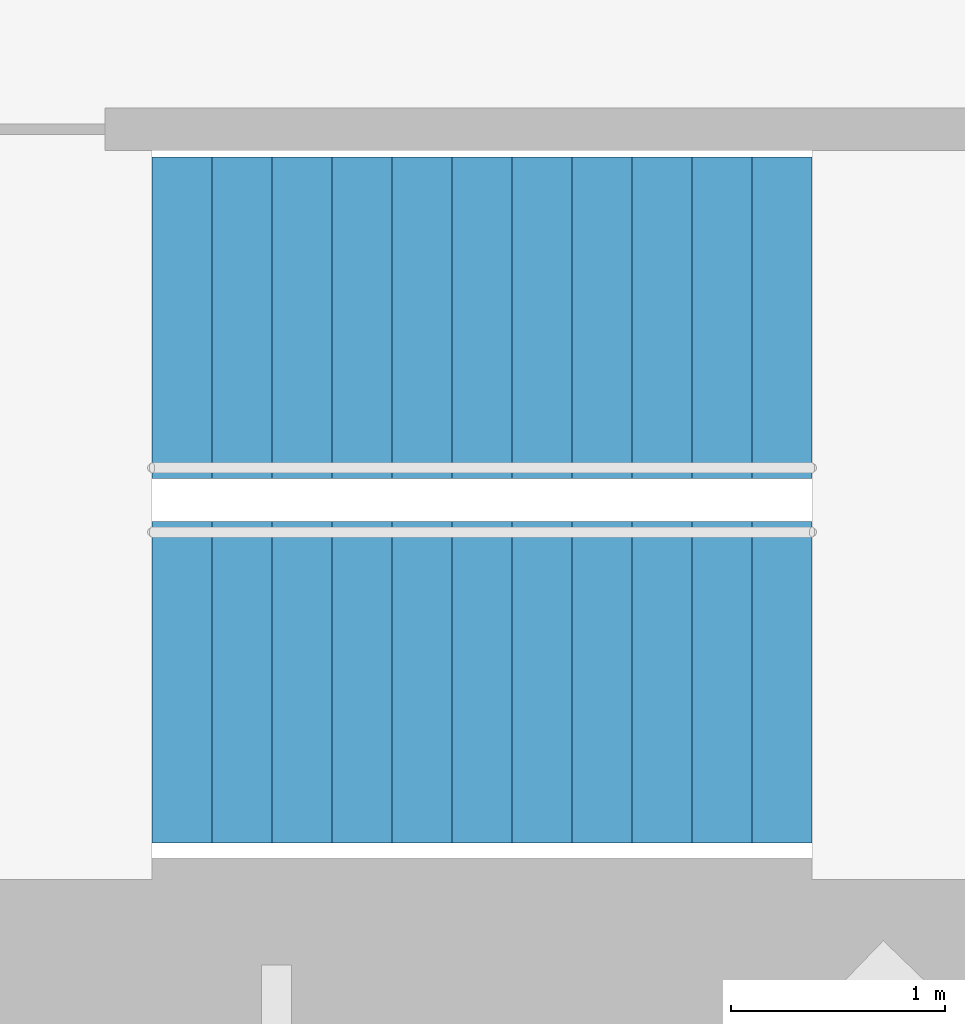
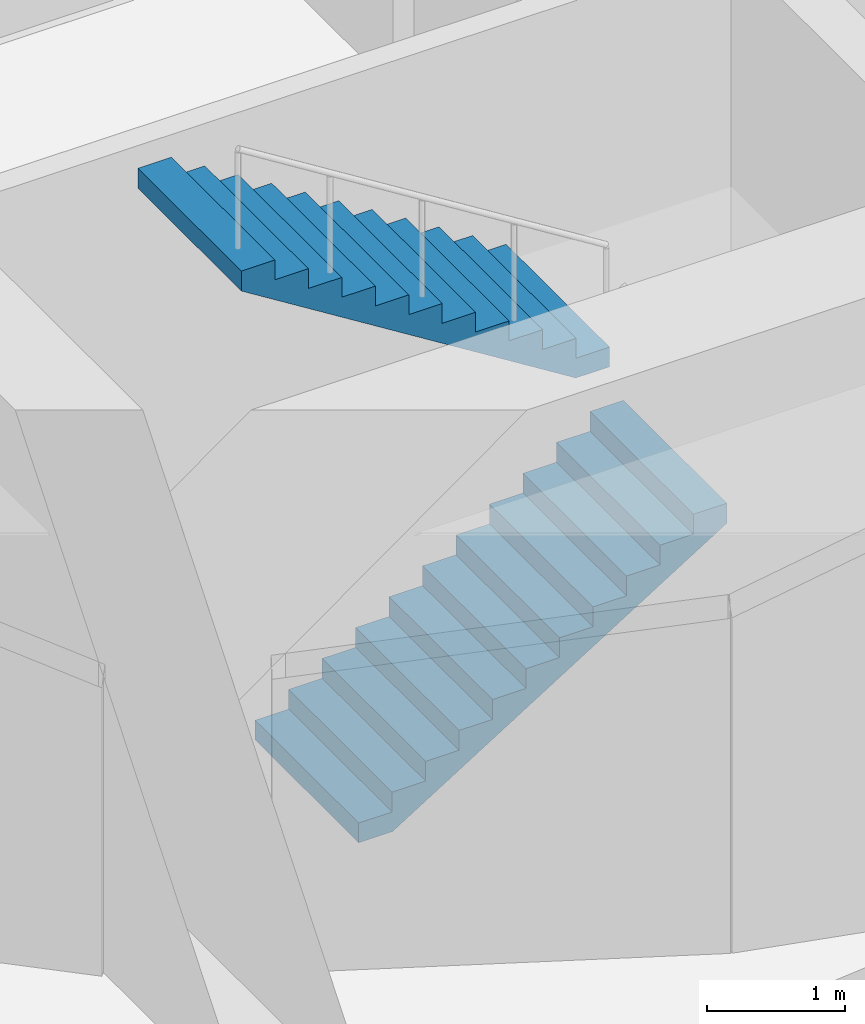
# One storey, part 15 of 17: 2 stair flights, 1 element without a shape of its own.
"""IFC4 building model written with IfcOpenShell, lengths in metres."""

from ifc_helpers import new_model, si_unit, direction, frame, origin, place, context, subcontext, project, spatial, triangles, material, type_object, element, aggregate, save


model = new_model("IFC4")

# Units and contexts
model_context = context("Model", 3, precision=1e-05, world=origin(), true_north=direction((0.0, 1.0)))
body_context = subcontext(model_context, "Body", "Model", "MODEL_VIEW")
ifc_project = project(units=[si_unit("LENGTHUNIT", "METRE"), si_unit("AREAUNIT", "SQUARE_METRE"), si_unit("VOLUMEUNIT", "CUBIC_METRE"), si_unit("PLANEANGLEUNIT", "RADIAN"), si_unit("MASSUNIT", "GRAM", prefix="KILO")], contexts=[model_context])

# Site, building, storey
site_placement = place(None, origin())
site = spatial("IfcSite", under=ifc_project, at=site_placement, CompositionType="ELEMENT")
building_placement = place(site_placement, origin())
building = spatial("IfcBuilding", under=site, at=building_placement, Name="Lantaw Convention Tower", CompositionType="ELEMENT")
storey_placement = place(building_placement, frame((0.0, 0.0, 211.60009765625)))
storey = spatial("IfcBuildingStorey", under=building, at=storey_placement, Name="L49", CompositionType="ELEMENT", Elevation=211.60009765625)

# Stair, stair flights
ifc_material = material(Name="Concrete C35/45", Category="concrete")
stair_type = type_object("IfcStairType", Name="Exit stair 1500 riser 175 in 2 flights", PredefinedType="HALF_TURN_STAIR", material=ifc_material)
stair_placement = place(storey_placement, origin())
stair = element("IfcStair", 1, at=stair_placement, inside=storey, type_object=stair_type, Name="Exit stair S1 L49", PredefinedType="HALF_TURN_STAIR")
stair_flight_type = type_object("IfcStairFlightType", Name="Stair flight 1500 riser 175", PredefinedType="STRAIGHT", material=ifc_material)
stair_flight_1_placement = place(storey_placement, frame((-10.580078125, -5.97998046875, 0.0), z_axis=(0.0, 0.0, 1.0), x_axis=(1.0, 0.0, 0.0)))
stair_flight_1 = element("IfcStairFlight", 2, at=stair_flight_1_placement, type_object=stair_flight_type, Name="S1 flight 1", NumberOfRisers=12, NumberOfTreads=11, PredefinedType="STRAIGHT", RiserHeight=0.175, TreadLength=0.28, context=body_context, shape_type="Tessellation", body=[
    triangles([(0.0, 0.75, 0.0), (0.0, 0.75, 0.175), (0.28, 0.75, 0.0), (0.28, 0.75, 0.175), (0.28, 0.75, 0.35), (0.28283517651771284, 0.75, 0.0), (0.28283517651771284, 0.75, 0.35), (0.56, 0.75, 0.17322801467642948), (0.56, 0.75, 0.35), (0.56, 0.75, 0.5249999999999999), (0.8400000000000001, 0.75, 0.34822801467642944), (0.8400000000000001, 0.75, 0.5249999999999999), (0.8400000000000001, 0.75, 0.7), (1.12, 0.75, 0.5232280146764294), (1.12, 0.75, 0.7), (1.12, 0.75, 0.875), (1.4000000000000001, 0.75, 0.6982280146764295), (1.4000000000000001, 0.75, 0.875), (1.4000000000000001, 0.75, 1.0499999999999998), (1.6800000000000002, 0.75, 0.8732280146764294), (1.6800000000000002, 0.75, 1.0499999999999998), (1.6800000000000002, 0.75, 1.2249999999999999), (1.9600000000000002, 0.75, 1.0482280146764293), (1.9600000000000002, 0.75, 1.2249999999999999), (1.9600000000000002, 0.75, 1.4), (2.24, 0.75, 1.2232280146764294), (2.24, 0.75, 1.4), (2.24, 0.75, 1.575), (2.5200000000000005, 0.75, 1.3982280146764294), (2.5200000000000005, 0.75, 1.575), (2.5200000000000005, 0.75, 1.75), (2.8000000000000003, 0.75, 1.5732280146764293), (2.8000000000000003, 0.75, 1.75), (2.8000000000000003, 0.75, 1.9249999999999998), (3.08, 0.75, 1.7482280146764293), (3.08, 0.75, 1.9249999999999998), (0.0, -0.75, 0.0), (0.0, -0.75, 0.175), (0.28, -0.75, 0.0), (0.28, -0.75, 0.175), (0.28, -0.75, 0.35), (0.28283517651771284, -0.75, 0.0), (0.28283517651771284, -0.75, 0.35), (0.56, -0.75, 0.17322801467642948), (0.56, -0.75, 0.35), (0.56, -0.75, 0.5249999999999999), (0.8400000000000001, -0.75, 0.34822801467642944), (0.8400000000000001, -0.75, 0.5249999999999999), (0.8400000000000001, -0.75, 0.7), (1.12, -0.75, 0.5232280146764294), (1.12, -0.75, 0.7), (1.12, -0.75, 0.875), (1.4000000000000001, -0.75, 0.6982280146764295), (1.4000000000000001, -0.75, 0.875), (1.4000000000000001, -0.75, 1.0499999999999998), (1.6800000000000002, -0.75, 0.8732280146764294), (1.6800000000000002, -0.75, 1.0499999999999998), (1.6800000000000002, -0.75, 1.2249999999999999), (1.9600000000000002, -0.75, 1.0482280146764293), (1.9600000000000002, -0.75, 1.2249999999999999), (1.9600000000000002, -0.75, 1.4), (2.24, -0.75, 1.2232280146764294), (2.24, -0.75, 1.4), (2.24, -0.75, 1.575), (2.5200000000000005, -0.75, 1.3982280146764294), (2.5200000000000005, -0.75, 1.575), (2.5200000000000005, -0.75, 1.75), (2.8000000000000003, -0.75, 1.5732280146764293), (2.8000000000000003, -0.75, 1.75), (2.8000000000000003, -0.75, 1.9249999999999998), (3.08, -0.75, 1.7482280146764293), (3.08, -0.75, 1.9249999999999998), (0.0, 0.15000000000000002, 0.175), (0.0, 0.15000000000000002, 0.0), (0.0, 0.0, 0.175), (0.0, 0.0, 0.0), (0.0, -0.15000000000000002, 0.175), (0.0, -0.15000000000000002, 0.0), (0.28, 0.15000000000000002, 0.35), (0.28, 0.15000000000000002, 0.175), (0.28, 0.0, 0.35), (0.28, 0.0, 0.175), (0.28, -0.15000000000000002, 0.35), (0.28, -0.15000000000000002, 0.175), (0.56, 0.15000000000000002, 0.5249999999999999), (0.56, 0.15000000000000002, 0.35), (0.56, 0.0, 0.5249999999999999), (0.56, 0.0, 0.35), (0.56, -0.15000000000000002, 0.5249999999999999), (0.56, -0.15000000000000002, 0.35), (0.8400000000000001, 0.15000000000000002, 0.7), (0.8400000000000001, 0.15000000000000002, 0.5249999999999999), (0.8400000000000001, 0.0, 0.7), (0.8400000000000001, 0.0, 0.5249999999999999), (0.8400000000000001, -0.15000000000000002, 0.7), (0.8400000000000001, -0.15000000000000002, 0.5249999999999999), (1.12, 0.15000000000000002, 0.875), (1.12, 0.15000000000000002, 0.7), (1.12, 0.0, 0.875), (1.12, 0.0, 0.7), (1.12, -0.15000000000000002, 0.875), (1.12, -0.15000000000000002, 0.7), (1.4000000000000001, 0.15000000000000002, 1.0499999999999998), (1.4000000000000001, 0.15000000000000002, 0.875), (1.4000000000000001, 0.0, 1.0499999999999998), (1.4000000000000001, 0.0, 0.875), (1.4000000000000001, -0.15000000000000002, 1.0499999999999998), (1.4000000000000001, -0.15000000000000002, 0.875), (1.6800000000000002, 0.15000000000000002, 1.2249999999999999), (1.6800000000000002, 0.15000000000000002, 1.0499999999999998), (1.6800000000000002, 0.0, 1.2249999999999999), (1.6800000000000002, 0.0, 1.0499999999999998), (1.6800000000000002, -0.15000000000000002, 1.2249999999999999), (1.6800000000000002, -0.15000000000000002, 1.0499999999999998), (1.9600000000000002, 0.15000000000000002, 1.4), (1.9600000000000002, 0.15000000000000002, 1.2249999999999999), (1.9600000000000002, 0.0, 1.4), (1.9600000000000002, 0.0, 1.2249999999999999), (1.9600000000000002, -0.15000000000000002, 1.4), (1.9600000000000002, -0.15000000000000002, 1.2249999999999999), (2.24, 0.15000000000000002, 1.575), (2.24, 0.15000000000000002, 1.4), (2.24, 0.0, 1.575), (2.24, 0.0, 1.4), (2.24, -0.15000000000000002, 1.575), (2.24, -0.15000000000000002, 1.4), (2.5200000000000005, 0.15000000000000002, 1.75), (2.5200000000000005, 0.15000000000000002, 1.575), (2.5200000000000005, 0.0, 1.75), (2.5200000000000005, 0.0, 1.575), (2.5200000000000005, -0.15000000000000002, 1.75), (2.5200000000000005, -0.15000000000000002, 1.575), (2.8000000000000003, 0.15000000000000002, 1.9249999999999998), (2.8000000000000003, 0.15000000000000002, 1.75), (2.8000000000000003, 0.0, 1.9249999999999998), (2.8000000000000003, 0.0, 1.75), (2.8000000000000003, -0.15000000000000002, 1.9249999999999998), (2.8000000000000003, -0.15000000000000002, 1.75), (0.28283517651771284, 0.15000000000000002, 0.35), (0.28283517651771284, 0.0, 0.35), (0.28283517651771284, -0.15000000000000002, 0.35), (3.08, 0.15000000000000002, 1.9249999999999998), (3.08, 0.0, 1.9249999999999998), (3.08, -0.15000000000000002, 1.9249999999999998), (3.08, 0.15000000000000002, 1.7482280146764293), (3.08, 0.0, 1.7482280146764293), (3.08, -0.15000000000000002, 1.7482280146764293), (2.8000000000000003, 0.15000000000000002, 1.5732280146764293), (2.8000000000000003, 0.0, 1.5732280146764293), (2.8000000000000003, -0.15000000000000002, 1.5732280146764293), (2.5200000000000005, 0.15000000000000002, 1.3982280146764294), (2.5200000000000005, 0.0, 1.3982280146764294), (2.5200000000000005, -0.15000000000000002, 1.3982280146764294), (2.24, 0.15000000000000002, 1.2232280146764294), (2.24, 0.0, 1.2232280146764294), (2.24, -0.15000000000000002, 1.2232280146764294), (1.9600000000000002, 0.15000000000000002, 1.0482280146764293), (1.9600000000000002, 0.0, 1.0482280146764293), (1.9600000000000002, -0.15000000000000002, 1.0482280146764293), (1.6800000000000002, 0.15000000000000002, 0.8732280146764294), (1.6800000000000002, 0.0, 0.8732280146764294), (1.6800000000000002, -0.15000000000000002, 0.8732280146764294), (1.4000000000000001, 0.15000000000000002, 0.6982280146764295), (1.4000000000000001, 0.0, 0.6982280146764295), (1.4000000000000001, -0.15000000000000002, 0.6982280146764295), (1.12, 0.15000000000000002, 0.5232280146764294), (1.12, 0.0, 0.5232280146764294), (1.12, -0.15000000000000002, 0.5232280146764294), (0.8400000000000001, 0.15000000000000002, 0.34822801467642944), (0.8400000000000001, 0.0, 0.34822801467642944), (0.8400000000000001, -0.15000000000000002, 0.34822801467642944), (0.56, 0.15000000000000002, 0.17322801467642948), (0.56, 0.0, 0.17322801467642948), (0.56, -0.15000000000000002, 0.17322801467642948), (0.28283517651771284, 0.15000000000000002, 0.0), (0.28283517651771284, 0.0, 0.0), (0.28283517651771284, -0.15000000000000002, 0.0), (0.28, 0.15000000000000002, 0.0), (0.28, 0.0, 0.0), (0.28, -0.15000000000000002, 0.0)], [[1, 4, 3], [1, 2, 4], [3, 4, 6], [4, 7, 6], [4, 5, 7], [6, 9, 8], [6, 7, 9], [8, 9, 11], [9, 12, 11], [9, 10, 12], [11, 12, 14], [12, 15, 14], [12, 13, 15], [14, 15, 17], [15, 18, 17], [15, 16, 18], [17, 18, 20], [18, 21, 20], [18, 19, 21], [20, 21, 23], [21, 24, 23], [21, 22, 24], [23, 24, 26], [24, 27, 26], [24, 25, 27], [26, 27, 29], [27, 30, 29], [27, 28, 30], [29, 30, 32], [30, 33, 32], [30, 31, 33], [32, 33, 35], [33, 36, 35], [33, 34, 36], [37, 39, 40], [37, 40, 38], [39, 42, 40], [40, 42, 43], [40, 43, 41], [42, 44, 45], [42, 45, 43], [44, 47, 45], [45, 47, 48], [45, 48, 46], [47, 50, 48], [48, 50, 51], [48, 51, 49], [50, 53, 51], [51, 53, 54], [51, 54, 52], [53, 56, 54], [54, 56, 57], [54, 57, 55], [56, 59, 57], [57, 59, 60], [57, 60, 58], [59, 62, 60], [60, 62, 63], [60, 63, 61], [62, 65, 63], [63, 65, 66], [63, 66, 64], [65, 68, 66], [66, 68, 69], [66, 69, 67], [68, 71, 69], [69, 71, 72], [69, 72, 70], [1, 73, 2], [1, 74, 73], [74, 75, 73], [74, 76, 75], [76, 77, 75], [76, 78, 77], [78, 38, 77], [78, 37, 38], [4, 79, 5], [4, 80, 79], [80, 81, 79], [80, 82, 81], [82, 83, 81], [82, 84, 83], [84, 41, 83], [84, 40, 41], [9, 85, 10], [9, 86, 85], [86, 87, 85], [86, 88, 87], [88, 89, 87], [88, 90, 89], [90, 46, 89], [90, 45, 46], [12, 91, 13], [12, 92, 91], [92, 93, 91], [92, 94, 93], [94, 95, 93], [94, 96, 95], [96, 49, 95], [96, 48, 49], [15, 97, 16], [15, 98, 97], [98, 99, 97], [98, 100, 99], [100, 101, 99], [100, 102, 101], [102, 52, 101], [102, 51, 52], [18, 103, 19], [18, 104, 103], [104, 105, 103], [104, 106, 105], [106, 107, 105], [106, 108, 107], [108, 55, 107], [108, 54, 55], [21, 109, 22], [21, 110, 109], [110, 111, 109], [110, 112, 111], [112, 113, 111], [112, 114, 113], [114, 58, 113], [114, 57, 58], [24, 115, 25], [24, 116, 115], [116, 117, 115], [116, 118, 117], [118, 119, 117], [118, 120, 119], [120, 61, 119], [120, 60, 61], [27, 121, 28], [27, 122, 121], [122, 123, 121], [122, 124, 123], [124, 125, 123], [124, 126, 125], [126, 64, 125], [126, 63, 64], [30, 127, 31], [30, 128, 127], [128, 129, 127], [128, 130, 129], [130, 131, 129], [130, 132, 131], [132, 67, 131], [132, 66, 67], [33, 133, 34], [33, 134, 133], [134, 135, 133], [134, 136, 135], [136, 137, 135], [136, 138, 137], [138, 70, 137], [138, 69, 70], [2, 80, 4], [2, 73, 80], [73, 82, 80], [73, 75, 82], [75, 84, 82], [75, 77, 84], [77, 40, 84], [77, 38, 40], [5, 139, 7], [5, 79, 139], [79, 140, 139], [79, 81, 140], [81, 141, 140], [81, 83, 141], [83, 43, 141], [83, 41, 43], [7, 86, 9], [7, 139, 86], [139, 88, 86], [139, 140, 88], [140, 90, 88], [140, 141, 90], [141, 45, 90], [141, 43, 45], [10, 92, 12], [10, 85, 92], [85, 94, 92], [85, 87, 94], [87, 96, 94], [87, 89, 96], [89, 48, 96], [89, 46, 48], [13, 98, 15], [13, 91, 98], [91, 100, 98], [91, 93, 100], [93, 102, 100], [93, 95, 102], [95, 51, 102], [95, 49, 51], [16, 104, 18], [16, 97, 104], [97, 106, 104], [97, 99, 106], [99, 108, 106], [99, 101, 108], [101, 54, 108], [101, 52, 54], [19, 110, 21], [19, 103, 110], [103, 112, 110], [103, 105, 112], [105, 114, 112], [105, 107, 114], [107, 57, 114], [107, 55, 57], [22, 116, 24], [22, 109, 116], [109, 118, 116], [109, 111, 118], [111, 120, 118], [111, 113, 120], [113, 60, 120], [113, 58, 60], [25, 122, 27], [25, 115, 122], [115, 124, 122], [115, 117, 124], [117, 126, 124], [117, 119, 126], [119, 63, 126], [119, 61, 63], [28, 128, 30], [28, 121, 128], [121, 130, 128], [121, 123, 130], [123, 132, 130], [123, 125, 132], [125, 66, 132], [125, 64, 66], [31, 134, 33], [31, 127, 134], [127, 136, 134], [127, 129, 136], [129, 138, 136], [129, 131, 138], [131, 69, 138], [131, 67, 69], [34, 142, 36], [34, 133, 142], [133, 143, 142], [133, 135, 143], [135, 144, 143], [135, 137, 144], [137, 72, 144], [137, 70, 72], [36, 145, 35], [36, 142, 145], [142, 146, 145], [142, 143, 146], [143, 147, 146], [143, 144, 147], [144, 71, 147], [144, 72, 71], [35, 148, 32], [35, 145, 148], [145, 149, 148], [145, 146, 149], [146, 150, 149], [146, 147, 150], [147, 68, 150], [147, 71, 68], [32, 151, 29], [32, 148, 151], [148, 152, 151], [148, 149, 152], [149, 153, 152], [149, 150, 153], [150, 65, 153], [150, 68, 65], [29, 154, 26], [29, 151, 154], [151, 155, 154], [151, 152, 155], [152, 156, 155], [152, 153, 156], [153, 62, 156], [153, 65, 62], [26, 157, 23], [26, 154, 157], [154, 158, 157], [154, 155, 158], [155, 159, 158], [155, 156, 159], [156, 59, 159], [156, 62, 59], [23, 160, 20], [23, 157, 160], [157, 161, 160], [157, 158, 161], [158, 162, 161], [158, 159, 162], [159, 56, 162], [159, 59, 56], [20, 163, 17], [20, 160, 163], [160, 164, 163], [160, 161, 164], [161, 165, 164], [161, 162, 165], [162, 53, 165], [162, 56, 53], [17, 166, 14], [17, 163, 166], [163, 167, 166], [163, 164, 167], [164, 168, 167], [164, 165, 168], [165, 50, 168], [165, 53, 50], [14, 169, 11], [14, 166, 169], [166, 170, 169], [166, 167, 170], [167, 171, 170], [167, 168, 171], [168, 47, 171], [168, 50, 47], [11, 172, 8], [11, 169, 172], [169, 173, 172], [169, 170, 173], [170, 174, 173], [170, 171, 174], [171, 44, 174], [171, 47, 44], [8, 175, 6], [8, 172, 175], [172, 176, 175], [172, 173, 176], [173, 177, 176], [173, 174, 177], [174, 42, 177], [174, 44, 42], [6, 178, 3], [6, 175, 178], [175, 179, 178], [175, 176, 179], [176, 180, 179], [176, 177, 180], [177, 39, 180], [177, 42, 39], [3, 74, 1], [3, 178, 74], [178, 76, 74], [178, 179, 76], [179, 78, 76], [179, 180, 78], [180, 37, 78], [180, 39, 37]], closed=True),
])
stair_flight_2_placement = place(storey_placement, frame((-7.5, -4.280029296875, 2.099853515625), z_axis=(0.0, 0.0, 1.0), x_axis=(-1.0, 0.0, 0.0)))
stair_flight_2 = element("IfcStairFlight", 3, at=stair_flight_2_placement, type_object=stair_flight_type, Name="S1 flight 2", NumberOfRisers=12, NumberOfTreads=11, PredefinedType="STRAIGHT", RiserHeight=0.175, TreadLength=0.28, context=body_context, shape_type="Tessellation", body=[
    triangles([(0.0, 0.75, 0.0), (0.0, 0.75, 0.175), (0.28, 0.75, 0.0), (0.28, 0.75, 0.175), (0.28, 0.75, 0.35), (0.28283517651771284, 0.75, 0.0), (0.28283517651771284, 0.75, 0.35), (0.56, 0.75, 0.17322801467642948), (0.56, 0.75, 0.35), (0.56, 0.75, 0.5249999999999999), (0.8400000000000001, 0.75, 0.34822801467642944), (0.8400000000000001, 0.75, 0.5249999999999999), (0.8400000000000001, 0.75, 0.7), (1.12, 0.75, 0.5232280146764294), (1.12, 0.75, 0.7), (1.12, 0.75, 0.875), (1.4000000000000001, 0.75, 0.6982280146764295), (1.4000000000000001, 0.75, 0.875), (1.4000000000000001, 0.75, 1.0499999999999998), (1.6800000000000002, 0.75, 0.8732280146764294), (1.6800000000000002, 0.75, 1.0499999999999998), (1.6800000000000002, 0.75, 1.2249999999999999), (1.9600000000000002, 0.75, 1.0482280146764293), (1.9600000000000002, 0.75, 1.2249999999999999), (1.9600000000000002, 0.75, 1.4), (2.24, 0.75, 1.2232280146764294), (2.24, 0.75, 1.4), (2.24, 0.75, 1.575), (2.5200000000000005, 0.75, 1.3982280146764294), (2.5200000000000005, 0.75, 1.575), (2.5200000000000005, 0.75, 1.75), (2.8000000000000003, 0.75, 1.5732280146764293), (2.8000000000000003, 0.75, 1.75), (2.8000000000000003, 0.75, 1.9249999999999998), (3.08, 0.75, 1.7482280146764293), (3.08, 0.75, 1.9249999999999998), (0.0, -0.75, 0.0), (0.0, -0.75, 0.175), (0.28, -0.75, 0.0), (0.28, -0.75, 0.175), (0.28, -0.75, 0.35), (0.28283517651771284, -0.75, 0.0), (0.28283517651771284, -0.75, 0.35), (0.56, -0.75, 0.17322801467642948), (0.56, -0.75, 0.35), (0.56, -0.75, 0.5249999999999999), (0.8400000000000001, -0.75, 0.34822801467642944), (0.8400000000000001, -0.75, 0.5249999999999999), (0.8400000000000001, -0.75, 0.7), (1.12, -0.75, 0.5232280146764294), (1.12, -0.75, 0.7), (1.12, -0.75, 0.875), (1.4000000000000001, -0.75, 0.6982280146764295), (1.4000000000000001, -0.75, 0.875), (1.4000000000000001, -0.75, 1.0499999999999998), (1.6800000000000002, -0.75, 0.8732280146764294), (1.6800000000000002, -0.75, 1.0499999999999998), (1.6800000000000002, -0.75, 1.2249999999999999), (1.9600000000000002, -0.75, 1.0482280146764293), (1.9600000000000002, -0.75, 1.2249999999999999), (1.9600000000000002, -0.75, 1.4), (2.24, -0.75, 1.2232280146764294), (2.24, -0.75, 1.4), (2.24, -0.75, 1.575), (2.5200000000000005, -0.75, 1.3982280146764294), (2.5200000000000005, -0.75, 1.575), (2.5200000000000005, -0.75, 1.75), (2.8000000000000003, -0.75, 1.5732280146764293), (2.8000000000000003, -0.75, 1.75), (2.8000000000000003, -0.75, 1.9249999999999998), (3.08, -0.75, 1.7482280146764293), (3.08, -0.75, 1.9249999999999998), (0.0, 0.15000000000000002, 0.175), (0.0, 0.15000000000000002, 0.0), (0.0, 0.0, 0.175), (0.0, 0.0, 0.0), (0.0, -0.15000000000000002, 0.175), (0.0, -0.15000000000000002, 0.0), (0.28, 0.15000000000000002, 0.35), (0.28, 0.15000000000000002, 0.175), (0.28, 0.0, 0.35), (0.28, 0.0, 0.175), (0.28, -0.15000000000000002, 0.35), (0.28, -0.15000000000000002, 0.175), (0.56, 0.15000000000000002, 0.5249999999999999), (0.56, 0.15000000000000002, 0.35), (0.56, 0.0, 0.5249999999999999), (0.56, 0.0, 0.35), (0.56, -0.15000000000000002, 0.5249999999999999), (0.56, -0.15000000000000002, 0.35), (0.8400000000000001, 0.15000000000000002, 0.7), (0.8400000000000001, 0.15000000000000002, 0.5249999999999999), (0.8400000000000001, 0.0, 0.7), (0.8400000000000001, 0.0, 0.5249999999999999), (0.8400000000000001, -0.15000000000000002, 0.7), (0.8400000000000001, -0.15000000000000002, 0.5249999999999999), (1.12, 0.15000000000000002, 0.875), (1.12, 0.15000000000000002, 0.7), (1.12, 0.0, 0.875), (1.12, 0.0, 0.7), (1.12, -0.15000000000000002, 0.875), (1.12, -0.15000000000000002, 0.7), (1.4000000000000001, 0.15000000000000002, 1.0499999999999998), (1.4000000000000001, 0.15000000000000002, 0.875), (1.4000000000000001, 0.0, 1.0499999999999998), (1.4000000000000001, 0.0, 0.875), (1.4000000000000001, -0.15000000000000002, 1.0499999999999998), (1.4000000000000001, -0.15000000000000002, 0.875), (1.6800000000000002, 0.15000000000000002, 1.2249999999999999), (1.6800000000000002, 0.15000000000000002, 1.0499999999999998), (1.6800000000000002, 0.0, 1.2249999999999999), (1.6800000000000002, 0.0, 1.0499999999999998), (1.6800000000000002, -0.15000000000000002, 1.2249999999999999), (1.6800000000000002, -0.15000000000000002, 1.0499999999999998), (1.9600000000000002, 0.15000000000000002, 1.4), (1.9600000000000002, 0.15000000000000002, 1.2249999999999999), (1.9600000000000002, 0.0, 1.4), (1.9600000000000002, 0.0, 1.2249999999999999), (1.9600000000000002, -0.15000000000000002, 1.4), (1.9600000000000002, -0.15000000000000002, 1.2249999999999999), (2.24, 0.15000000000000002, 1.575), (2.24, 0.15000000000000002, 1.4), (2.24, 0.0, 1.575), (2.24, 0.0, 1.4), (2.24, -0.15000000000000002, 1.575), (2.24, -0.15000000000000002, 1.4), (2.5200000000000005, 0.15000000000000002, 1.75), (2.5200000000000005, 0.15000000000000002, 1.575), (2.5200000000000005, 0.0, 1.75), (2.5200000000000005, 0.0, 1.575), (2.5200000000000005, -0.15000000000000002, 1.75), (2.5200000000000005, -0.15000000000000002, 1.575), (2.8000000000000003, 0.15000000000000002, 1.9249999999999998), (2.8000000000000003, 0.15000000000000002, 1.75), (2.8000000000000003, 0.0, 1.9249999999999998), (2.8000000000000003, 0.0, 1.75), (2.8000000000000003, -0.15000000000000002, 1.9249999999999998), (2.8000000000000003, -0.15000000000000002, 1.75), (0.28283517651771284, 0.15000000000000002, 0.35), (0.28283517651771284, 0.0, 0.35), (0.28283517651771284, -0.15000000000000002, 0.35), (3.08, 0.15000000000000002, 1.9249999999999998), (3.08, 0.0, 1.9249999999999998), (3.08, -0.15000000000000002, 1.9249999999999998), (3.08, 0.15000000000000002, 1.7482280146764293), (3.08, 0.0, 1.7482280146764293), (3.08, -0.15000000000000002, 1.7482280146764293), (2.8000000000000003, 0.15000000000000002, 1.5732280146764293), (2.8000000000000003, 0.0, 1.5732280146764293), (2.8000000000000003, -0.15000000000000002, 1.5732280146764293), (2.5200000000000005, 0.15000000000000002, 1.3982280146764294), (2.5200000000000005, 0.0, 1.3982280146764294), (2.5200000000000005, -0.15000000000000002, 1.3982280146764294), (2.24, 0.15000000000000002, 1.2232280146764294), (2.24, 0.0, 1.2232280146764294), (2.24, -0.15000000000000002, 1.2232280146764294), (1.9600000000000002, 0.15000000000000002, 1.0482280146764293), (1.9600000000000002, 0.0, 1.0482280146764293), (1.9600000000000002, -0.15000000000000002, 1.0482280146764293), (1.6800000000000002, 0.15000000000000002, 0.8732280146764294), (1.6800000000000002, 0.0, 0.8732280146764294), (1.6800000000000002, -0.15000000000000002, 0.8732280146764294), (1.4000000000000001, 0.15000000000000002, 0.6982280146764295), (1.4000000000000001, 0.0, 0.6982280146764295), (1.4000000000000001, -0.15000000000000002, 0.6982280146764295), (1.12, 0.15000000000000002, 0.5232280146764294), (1.12, 0.0, 0.5232280146764294), (1.12, -0.15000000000000002, 0.5232280146764294), (0.8400000000000001, 0.15000000000000002, 0.34822801467642944), (0.8400000000000001, 0.0, 0.34822801467642944), (0.8400000000000001, -0.15000000000000002, 0.34822801467642944), (0.56, 0.15000000000000002, 0.17322801467642948), (0.56, 0.0, 0.17322801467642948), (0.56, -0.15000000000000002, 0.17322801467642948), (0.28283517651771284, 0.15000000000000002, 0.0), (0.28283517651771284, 0.0, 0.0), (0.28283517651771284, -0.15000000000000002, 0.0), (0.28, 0.15000000000000002, 0.0), (0.28, 0.0, 0.0), (0.28, -0.15000000000000002, 0.0)], [[1, 4, 3], [1, 2, 4], [3, 4, 6], [4, 7, 6], [4, 5, 7], [6, 9, 8], [6, 7, 9], [8, 9, 11], [9, 12, 11], [9, 10, 12], [11, 12, 14], [12, 15, 14], [12, 13, 15], [14, 15, 17], [15, 18, 17], [15, 16, 18], [17, 18, 20], [18, 21, 20], [18, 19, 21], [20, 21, 23], [21, 24, 23], [21, 22, 24], [23, 24, 26], [24, 27, 26], [24, 25, 27], [26, 27, 29], [27, 30, 29], [27, 28, 30], [29, 30, 32], [30, 33, 32], [30, 31, 33], [32, 33, 35], [33, 36, 35], [33, 34, 36], [37, 39, 40], [37, 40, 38], [39, 42, 40], [40, 42, 43], [40, 43, 41], [42, 44, 45], [42, 45, 43], [44, 47, 45], [45, 47, 48], [45, 48, 46], [47, 50, 48], [48, 50, 51], [48, 51, 49], [50, 53, 51], [51, 53, 54], [51, 54, 52], [53, 56, 54], [54, 56, 57], [54, 57, 55], [56, 59, 57], [57, 59, 60], [57, 60, 58], [59, 62, 60], [60, 62, 63], [60, 63, 61], [62, 65, 63], [63, 65, 66], [63, 66, 64], [65, 68, 66], [66, 68, 69], [66, 69, 67], [68, 71, 69], [69, 71, 72], [69, 72, 70], [1, 73, 2], [1, 74, 73], [74, 75, 73], [74, 76, 75], [76, 77, 75], [76, 78, 77], [78, 38, 77], [78, 37, 38], [4, 79, 5], [4, 80, 79], [80, 81, 79], [80, 82, 81], [82, 83, 81], [82, 84, 83], [84, 41, 83], [84, 40, 41], [9, 85, 10], [9, 86, 85], [86, 87, 85], [86, 88, 87], [88, 89, 87], [88, 90, 89], [90, 46, 89], [90, 45, 46], [12, 91, 13], [12, 92, 91], [92, 93, 91], [92, 94, 93], [94, 95, 93], [94, 96, 95], [96, 49, 95], [96, 48, 49], [15, 97, 16], [15, 98, 97], [98, 99, 97], [98, 100, 99], [100, 101, 99], [100, 102, 101], [102, 52, 101], [102, 51, 52], [18, 103, 19], [18, 104, 103], [104, 105, 103], [104, 106, 105], [106, 107, 105], [106, 108, 107], [108, 55, 107], [108, 54, 55], [21, 109, 22], [21, 110, 109], [110, 111, 109], [110, 112, 111], [112, 113, 111], [112, 114, 113], [114, 58, 113], [114, 57, 58], [24, 115, 25], [24, 116, 115], [116, 117, 115], [116, 118, 117], [118, 119, 117], [118, 120, 119], [120, 61, 119], [120, 60, 61], [27, 121, 28], [27, 122, 121], [122, 123, 121], [122, 124, 123], [124, 125, 123], [124, 126, 125], [126, 64, 125], [126, 63, 64], [30, 127, 31], [30, 128, 127], [128, 129, 127], [128, 130, 129], [130, 131, 129], [130, 132, 131], [132, 67, 131], [132, 66, 67], [33, 133, 34], [33, 134, 133], [134, 135, 133], [134, 136, 135], [136, 137, 135], [136, 138, 137], [138, 70, 137], [138, 69, 70], [2, 80, 4], [2, 73, 80], [73, 82, 80], [73, 75, 82], [75, 84, 82], [75, 77, 84], [77, 40, 84], [77, 38, 40], [5, 139, 7], [5, 79, 139], [79, 140, 139], [79, 81, 140], [81, 141, 140], [81, 83, 141], [83, 43, 141], [83, 41, 43], [7, 86, 9], [7, 139, 86], [139, 88, 86], [139, 140, 88], [140, 90, 88], [140, 141, 90], [141, 45, 90], [141, 43, 45], [10, 92, 12], [10, 85, 92], [85, 94, 92], [85, 87, 94], [87, 96, 94], [87, 89, 96], [89, 48, 96], [89, 46, 48], [13, 98, 15], [13, 91, 98], [91, 100, 98], [91, 93, 100], [93, 102, 100], [93, 95, 102], [95, 51, 102], [95, 49, 51], [16, 104, 18], [16, 97, 104], [97, 106, 104], [97, 99, 106], [99, 108, 106], [99, 101, 108], [101, 54, 108], [101, 52, 54], [19, 110, 21], [19, 103, 110], [103, 112, 110], [103, 105, 112], [105, 114, 112], [105, 107, 114], [107, 57, 114], [107, 55, 57], [22, 116, 24], [22, 109, 116], [109, 118, 116], [109, 111, 118], [111, 120, 118], [111, 113, 120], [113, 60, 120], [113, 58, 60], [25, 122, 27], [25, 115, 122], [115, 124, 122], [115, 117, 124], [117, 126, 124], [117, 119, 126], [119, 63, 126], [119, 61, 63], [28, 128, 30], [28, 121, 128], [121, 130, 128], [121, 123, 130], [123, 132, 130], [123, 125, 132], [125, 66, 132], [125, 64, 66], [31, 134, 33], [31, 127, 134], [127, 136, 134], [127, 129, 136], [129, 138, 136], [129, 131, 138], [131, 69, 138], [131, 67, 69], [34, 142, 36], [34, 133, 142], [133, 143, 142], [133, 135, 143], [135, 144, 143], [135, 137, 144], [137, 72, 144], [137, 70, 72], [36, 145, 35], [36, 142, 145], [142, 146, 145], [142, 143, 146], [143, 147, 146], [143, 144, 147], [144, 71, 147], [144, 72, 71], [35, 148, 32], [35, 145, 148], [145, 149, 148], [145, 146, 149], [146, 150, 149], [146, 147, 150], [147, 68, 150], [147, 71, 68], [32, 151, 29], [32, 148, 151], [148, 152, 151], [148, 149, 152], [149, 153, 152], [149, 150, 153], [150, 65, 153], [150, 68, 65], [29, 154, 26], [29, 151, 154], [151, 155, 154], [151, 152, 155], [152, 156, 155], [152, 153, 156], [153, 62, 156], [153, 65, 62], [26, 157, 23], [26, 154, 157], [154, 158, 157], [154, 155, 158], [155, 159, 158], [155, 156, 159], [156, 59, 159], [156, 62, 59], [23, 160, 20], [23, 157, 160], [157, 161, 160], [157, 158, 161], [158, 162, 161], [158, 159, 162], [159, 56, 162], [159, 59, 56], [20, 163, 17], [20, 160, 163], [160, 164, 163], [160, 161, 164], [161, 165, 164], [161, 162, 165], [162, 53, 165], [162, 56, 53], [17, 166, 14], [17, 163, 166], [163, 167, 166], [163, 164, 167], [164, 168, 167], [164, 165, 168], [165, 50, 168], [165, 53, 50], [14, 169, 11], [14, 166, 169], [166, 170, 169], [166, 167, 170], [167, 171, 170], [167, 168, 171], [168, 47, 171], [168, 50, 47], [11, 172, 8], [11, 169, 172], [169, 173, 172], [169, 170, 173], [170, 174, 173], [170, 171, 174], [171, 44, 174], [171, 47, 44], [8, 175, 6], [8, 172, 175], [172, 176, 175], [172, 173, 176], [173, 177, 176], [173, 174, 177], [174, 42, 177], [174, 44, 42], [6, 178, 3], [6, 175, 178], [175, 179, 178], [175, 176, 179], [176, 180, 179], [176, 177, 180], [177, 39, 180], [177, 42, 39], [3, 74, 1], [3, 178, 74], [178, 76, 74], [178, 179, 76], [179, 78, 76], [179, 180, 78], [180, 37, 78], [180, 39, 37]], closed=True),
])
aggregate(stair, [stair_flight_1, stair_flight_2])

save(model, "model.ifc")
